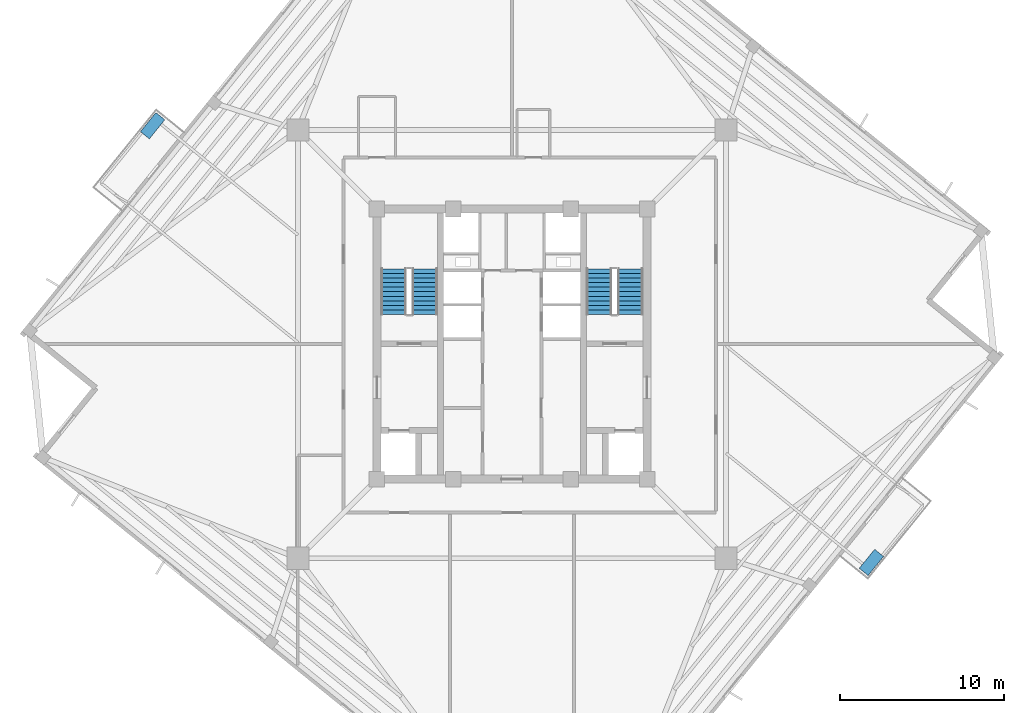
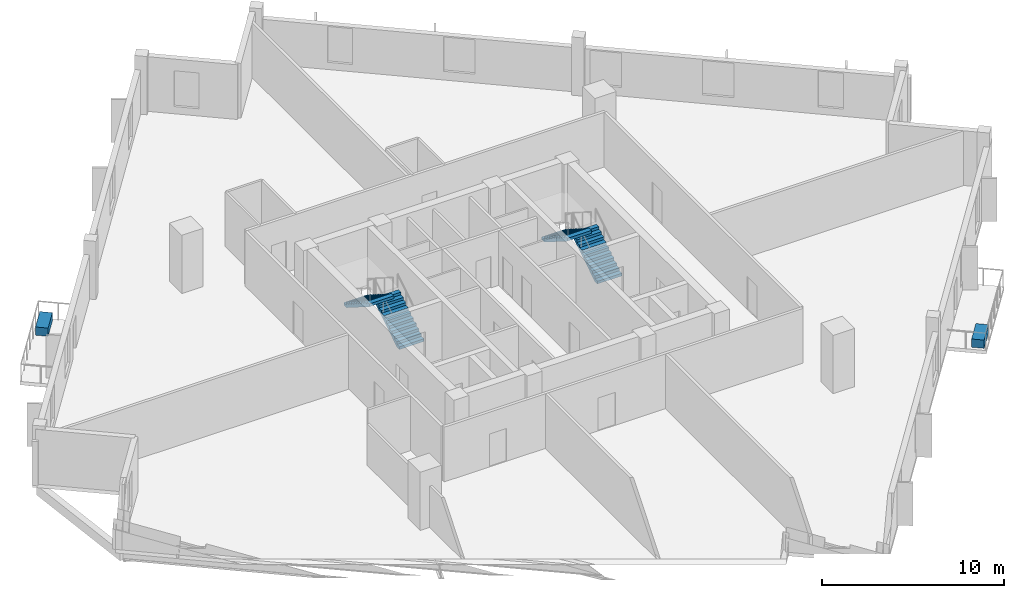
# One storey, part 5 of 9: 4 stair flights, 2 discrete accessories, 2 elements without a shape of their own.
"""IFC4 building model written with IfcOpenShell, lengths in metres."""

from ifc_helpers import new_model, si_unit, direction, frame, origin, origin_2d, place, context, subcontext, project, spatial, polyline, rectangle, outline, extrude, source, transform, mapped, material, type_object, element, aggregate, save


model = new_model("IFC4")

# Units and contexts
model_context = context("Model", 3, precision=1e-05, world=origin(), true_north=direction((0.0, 1.0)))
body_context = subcontext(model_context, "Body", "Model", "MODEL_VIEW")
ifc_project = project(units=[si_unit("LENGTHUNIT", "METRE"), si_unit("AREAUNIT", "SQUARE_METRE"), si_unit("VOLUMEUNIT", "CUBIC_METRE"), si_unit("PLANEANGLEUNIT", "RADIAN"), si_unit("MASSUNIT", "GRAM", prefix="KILO"), si_unit("THERMODYNAMICTEMPERATUREUNIT", "KELVIN")], contexts=[model_context])

# Site, building, storey
site_placement = place(None, origin())
site = spatial("IfcSite", under=ifc_project, at=site_placement, CompositionType="ELEMENT")
building_placement = place(site_placement, origin())
building = spatial("IfcBuilding", under=site, at=building_placement, Name="Kosmvard Interchange Tower", CompositionType="ELEMENT")
storey_placement = place(building_placement, frame((0.0, 0.0, 244.60009765625)))
storey = spatial("IfcBuildingStorey", under=building, at=storey_placement, Name="L59", CompositionType="ELEMENT", Elevation=244.60009765625)

# Stair, stair flights
ifc_material_1 = material(Name="Concrete C50/60", Category="concrete")
stair_type = type_object("IfcStairType", Name="Dog-Leg Core Exit Stair H3900 C50/60", PredefinedType="HALF_TURN_STAIR", material=ifc_material_1)
stair_1_placement = place(storey_placement, origin())
stair_1 = element("IfcStair", 1, at=stair_1_placement, inside=storey, type_object=stair_type, Name="L59 Protected Exit Stair ST-1", PredefinedType="HALF_TURN_STAIR")
stair_flight_type = type_object("IfcStairFlightType", Name="Core Stair Flight W1550 H3900 C50/60", PredefinedType="STRAIGHT", material=ifc_material_1)
shared_shape_1 = source(origin(), body_context, "Body", "SweptSolid", [
    extrude(outline(polyline([(0.0, 0.0), (0.0, 0.17724609375), (0.280029296875, 0.17724609375), (0.280029296875, 0.3544921875), (0.56005859375, 0.3544921875), (0.56005859375, 0.53173828125), (0.840087890625, 0.53173828125), (0.840087890625, 0.708984375), (1.1201171875, 0.708984375), (1.1201171875, 0.886474609375), (1.39990234375, 0.886474609375), (1.39990234375, 1.063720703125), (1.679931640625, 1.063720703125), (1.679931640625, 1.240966796875), (1.9599609375, 1.240966796875), (1.9599609375, 1.418212890625), (2.239990234375, 1.418212890625), (2.239990234375, 1.595458984375), (2.52001953125, 1.595458984375), (2.52001953125, 1.772705078125), (2.800048828125, 1.772705078125), (2.800048828125, 1.949951171875), (2.800048828125, 1.58349609375), (0.298828125, 0.0), (0.0, 0.0)])), frame((0.0, 0.77490234375, 0.0), z_axis=(0.0, -1.0, 0.0), x_axis=(1.0, 0.0, 0.0)), (0.0, 0.0, 1.0), 1.550048828125),
])
stair_flight_1_placement = place(storey_placement, frame((-5.31494140625, 1.800048828125, 0.0), z_axis=(0.0, 0.0, 1.0), x_axis=(0.0, 1.0, 0.0)))
stair_flight_1 = element("IfcStairFlight", 2, at=stair_flight_1_placement, type_object=stair_flight_type, Name="ST-1 flight 1", NumberOfRisers=11, NumberOfTreads=10, PredefinedType="STRAIGHT", RiserHeight=0.177272727, TreadLength=0.28, context=body_context, shape_type="MappedRepresentation", body=[
    mapped(shared_shape_1, transform((0.0, 0.0, 0.0), scale=1.0)),
])
stair_flight_2_placement = place(storey_placement, frame((-7.22509765625, 4.60009765625, 1.949951171875), z_axis=(0.0, 0.0, 1.0), x_axis=(0.0, -1.0, 0.0)))
stair_flight_2 = element("IfcStairFlight", 3, at=stair_flight_2_placement, type_object=stair_flight_type, Name="ST-1 flight 2", NumberOfRisers=11, NumberOfTreads=10, PredefinedType="STRAIGHT", RiserHeight=0.177272727, TreadLength=0.28, context=body_context, shape_type="MappedRepresentation", body=[
    mapped(shared_shape_1, transform((0.0, 0.0, 0.0), scale=1.0)),
])
aggregate(stair_1, [stair_flight_1, stair_flight_2])

stair_2_placement = place(storey_placement, origin())
stair_2 = element("IfcStair", 4, at=stair_2_placement, inside=storey, type_object=stair_type, Name="L59 Protected Exit Stair ST-2", PredefinedType="HALF_TURN_STAIR")
stair_flight_3_placement = place(storey_placement, frame((7.22509765625, 1.800048828125, 0.0), z_axis=(0.0, 0.0, 1.0), x_axis=(0.0, 1.0, 0.0)))
stair_flight_3 = element("IfcStairFlight", 5, at=stair_flight_3_placement, type_object=stair_flight_type, Name="ST-2 flight 1", NumberOfRisers=11, NumberOfTreads=10, PredefinedType="STRAIGHT", RiserHeight=0.177272727, TreadLength=0.28, context=body_context, shape_type="MappedRepresentation", body=[
    mapped(shared_shape_1, transform((0.0, 0.0, 0.0), scale=1.0)),
])
stair_flight_4_placement = place(storey_placement, frame((5.31494140625, 4.60009765625, 1.949951171875), z_axis=(0.0, 0.0, 1.0), x_axis=(0.0, -1.0, 0.0)))
stair_flight_4 = element("IfcStairFlight", 6, at=stair_flight_4_placement, type_object=stair_flight_type, Name="ST-2 flight 2", NumberOfRisers=11, NumberOfTreads=10, PredefinedType="STRAIGHT", RiserHeight=0.177272727, TreadLength=0.28, context=body_context, shape_type="MappedRepresentation", body=[
    mapped(shared_shape_1, transform((0.0, 0.0, 0.0), scale=1.0)),
])
aggregate(stair_2, [stair_flight_3, stair_flight_4])

# Discrete accessories
ifc_material_2 = material(Name="Terracotta precast planter concrete C45/55", Category="masonry")
discrete_accessory_type = type_object("IfcDiscreteAccessoryType", Name="Precast Tree-Balcony & Terrace Planter Box", PredefinedType="USERDEFINED", material=ifc_material_2)
shared_shape_2 = source(origin(), body_context, "Body", "SweptSolid", [
    extrude(rectangle(XDim=1.5, YDim=0.699951171875, at=origin_2d()), origin(), (0.0, 0.0, 1.0), 0.550048828125),
])
for number, where, z_axis, x_axis, name in (
    (7, (21.949462890625, -13.3349609375, 0.0), (0.0, 0.0, 1.0), (0.62932039105, 0.777145961457, 0.0), "L59 Balcony Tree Planter BAL-L59-SW"),
    (8, (-21.949462890625, 13.3349609375, 0.0), (0.0, 0.0, 1.0), (0.62932039105, 0.777145961457, 0.0), "L59 Balcony Tree Planter BAL-L59-NE"),
):
    element("IfcDiscreteAccessory", number, at=place(storey_placement, frame(where, z_axis=z_axis, x_axis=x_axis)), inside=storey, type_object=discrete_accessory_type, Name=name, ObjectType="PLANTER", PredefinedType="USERDEFINED", context=body_context, shape_type="MappedRepresentation", body=[
        mapped(shared_shape_2, transform((0.0, 0.0, 0.0), scale=1.0)),
    ])

save(model, "model.ifc")
